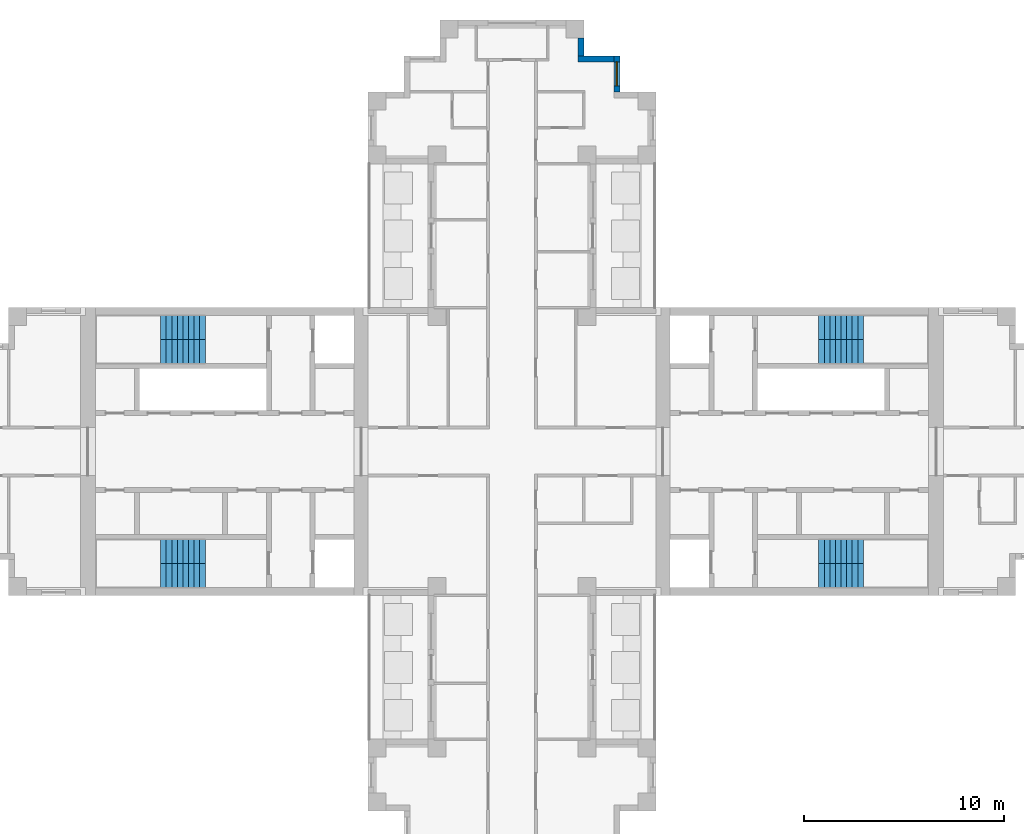
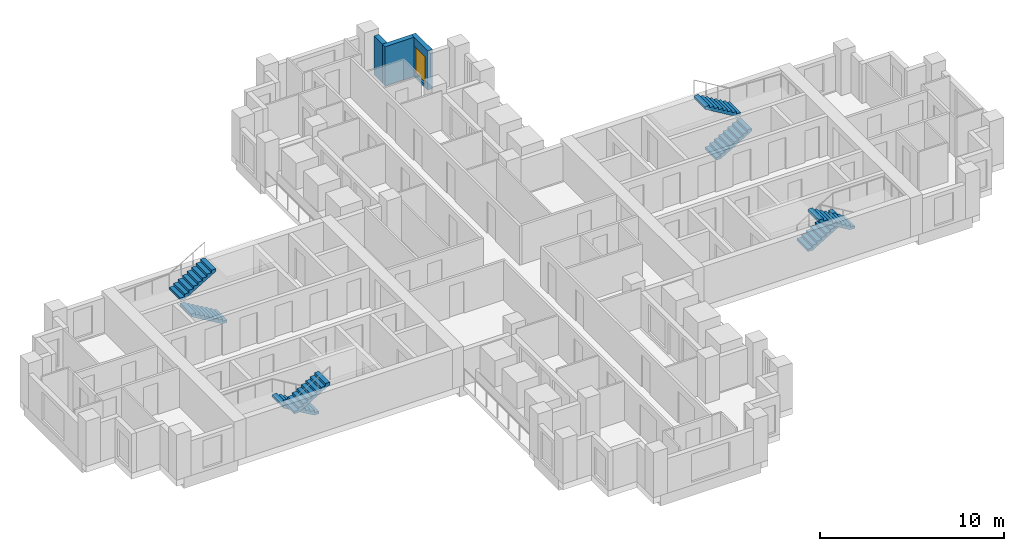
# One storey, part 8 of 10: 8 stair flights, 3 walls, 1 window, 1 opening, 4 elements without a shape of their own.
"""IFC4 building model written with IfcOpenShell, lengths in metres."""

from ifc_helpers import new_model, si_unit, direction, frame, frame_2d, origin, place, context, subcontext, project, spatial, polyline, rectangle, outline, extrude, material, layer, layer_set, type_object, element, fill, aggregate, save


model = new_model("IFC4")

# Units and contexts
model_context = context("Model", 3, precision=1e-05, world=origin(), true_north=direction((0.0, 1.0)))
body_context = subcontext(model_context, "Body", "Model", "MODEL_VIEW")
ifc_project = project(units=[si_unit("LENGTHUNIT", "METRE"), si_unit("AREAUNIT", "SQUARE_METRE"), si_unit("VOLUMEUNIT", "CUBIC_METRE"), si_unit("PLANEANGLEUNIT", "RADIAN"), si_unit("MASSUNIT", "GRAM", prefix="KILO")], contexts=[model_context])

# Site, building, storey
site_placement = place(None, origin())
site = spatial("IfcSite", under=ifc_project, at=site_placement, CompositionType="ELEMENT")
building_placement = place(site_placement, origin())
building = spatial("IfcBuilding", under=site, at=building_placement, Name="Fustian Cross Tower", CompositionType="ELEMENT")
storey_placement = place(building_placement, frame((0.0, 0.0, 213.89990234375)))
storey = spatial("IfcBuildingStorey", under=building, at=storey_placement, Name="L67", CompositionType="ELEMENT", Elevation=213.89990234375)

# Wall, opening, window
ifc_material_1 = material(Name="Dark aluminium cladding on insulated backing wall", Category="aluminium")
ifc_layer = layer(ifc_material_1, 0.300048828125)
ifc_layer_set = layer_set([ifc_layer], Name="Dark aluminium cladding on insulated backing wall")
wall_type = type_object("IfcWallType", Name="XW1 EXTERNAL WALL 300", PredefinedType="SOLIDWALL", material=ifc_layer_set)
wall_1_placement = place(storey_placement, frame((5.25, 18.0, 0.0), z_axis=(0.0, 0.0, 1.0), x_axis=(0.0, 1.0, 0.0)))
wall_1 = element("IfcWall", 1, at=wall_1_placement, inside=storey, type_object=wall_type, Name="External wall", PredefinedType="SOLIDWALL", context=body_context, shape_type="SweptSolid", body=[
    extrude(rectangle(XDim=1.800048828125, YDim=0.300048828125, at=frame_2d((0.89990234375, 0.0))), origin(), (0.0, 0.0, 1.0), 2.60009765625),
])
opening_placement = place(wall_1_placement, frame((0.300048828125, 0.0, 0.199951171875)))
opening = element("IfcOpeningElement", 2, at=opening_placement, cuts=wall_1, Name="Opening WN3", PredefinedType="OPENING", context=body_context, shape_type="SweptSolid", body=[
    extrude(rectangle(XDim=1.199951171875, YDim=1.85009765625, at=frame_2d((0.60009765625, 0.925048828125))), frame((0.0, 0.159912109375, 0.0), z_axis=(0.0, -1.0, 0.0), x_axis=(1.0, 0.0, 0.0)), (0.0, 0.0, 1.0), 0.320068359375),
])
ifc_material_2 = material(Name="Dark anodised aluminium and double glazing", Category="aluminium")
window_type = type_object("IfcWindowType", Name="WN3 WINDOW 1200X1850", PartitioningType="SINGLE_PANEL", PredefinedType="WINDOW", material=ifc_material_2)
window_placement = place(opening_placement, origin())
window = element("IfcWindow", 3, at=window_placement, inside=storey, type_object=window_type, Name="Window", OverallHeight=1.85009765625, OverallWidth=1.199951171875, PartitioningType="SINGLE_PANEL", PredefinedType="WINDOW", context=body_context, shape_type="SweptSolid", body=[
    extrude(rectangle(XDim=1.199951171875, YDim=1.85009765625, at=frame_2d((0.60009765625, 0.925048828125))), frame((0.0, 0.030029296875, 0.0), z_axis=(0.0, -1.0, 0.0), x_axis=(1.0, 0.0, 0.0)), (0.0, 0.0, 1.0), 0.06005859375),
])
fill(opening, window)

# Walls
wall_2_placement = place(storey_placement, frame((5.10009765625, 19.64990234375, 0.0), z_axis=(0.0, 0.0, 1.0), x_axis=(-1.0, 0.0, 0.0)))
element("IfcWall", 4, at=wall_2_placement, inside=storey, type_object=wall_type, Name="External wall", PredefinedType="SOLIDWALL", context=body_context, shape_type="SweptSolid", body=[
    extrude(rectangle(XDim=1.800048828125, YDim=0.300048828125, at=frame_2d((0.89990234375, 0.0))), origin(), (0.0, 0.0, 1.0), 2.60009765625),
])
wall_3_placement = place(storey_placement, frame((3.449951171875, 19.800048828125, 0.0), z_axis=(0.0, 0.0, 1.0), x_axis=(0.0, 1.0, 0.0)))
element("IfcWall", 5, at=wall_3_placement, inside=storey, type_object=wall_type, Name="External wall", PredefinedType="SOLIDWALL", context=body_context, shape_type="SweptSolid", body=[
    extrude(rectangle(XDim=0.89990234375, YDim=0.300048828125, at=frame_2d((0.449951171875, 0.0))), origin(), (0.0, 0.0, 1.0), 2.60009765625),
])

# Stair, stair flights
ifc_material_3 = material(Name="Concrete C50/60", Category="concrete")
stair_type = type_object("IfcStairType", Name="STAIR 1200 HALF TURN", PredefinedType="HALF_TURN_STAIR", material=ifc_material_3)
stair_1_placement = place(storey_placement, origin())
stair_1 = element("IfcStair", 6, at=stair_1_placement, inside=storey, type_object=stair_type, Name="Stair ST1", PredefinedType="HALF_TURN_STAIR")
ifc_material_4 = material(Name="Concrete C50/60", Category="concrete")
stair_flight_type = type_object("IfcStairFlightType", Name="STAIR FLIGHT 1200", PredefinedType="STRAIGHT", material=ifc_material_4)
stair_flight_1_placement = place(storey_placement, frame((15.35009765625, 5.0, 0.0), z_axis=(0.0, 0.0, 1.0), x_axis=(1.0, 0.0, 0.0)))
stair_flight_1 = element("IfcStairFlight", 7, at=stair_flight_1_placement, type_object=stair_flight_type, Name="ST1 flight 1", NumberOfRisers=9, NumberOfTreads=8, PredefinedType="STRAIGHT", RiserHeight=0.166666667, TreadLength=0.28, context=body_context, shape_type="SweptSolid", body=[
    extrude(outline(polyline([(0.0, 0.0), (0.0, 0.166748046875), (0.280029296875, 0.166748046875), (0.280029296875, 0.333251953125), (0.56005859375, 0.333251953125), (0.56005859375, 0.5), (0.840087890625, 0.5), (0.840087890625, 0.666748046875), (1.1201171875, 0.666748046875), (1.1201171875, 0.833251953125), (1.39990234375, 0.833251953125), (1.39990234375, 1.0), (1.679931640625, 1.0), (1.679931640625, 1.166748046875), (1.9599609375, 1.166748046875), (1.9599609375, 1.333251953125), (2.239990234375, 1.333251953125), (2.239990234375, 1.5), (2.239990234375, 1.158935546875), (0.29296875, 0.0), (0.0, 0.0)])), frame((0.0, 0.60009765625, 0.0), z_axis=(0.0, -1.0, 0.0), x_axis=(1.0, 0.0, 0.0)), (0.0, 0.0, 1.0), 1.199951171875),
])
stair_flight_2_placement = place(storey_placement, frame((17.590087890625, 6.199951171875, 1.5), z_axis=(0.0, 0.0, 1.0), x_axis=(-1.0, 0.0, 0.0)))
stair_flight_2 = element("IfcStairFlight", 8, at=stair_flight_2_placement, type_object=stair_flight_type, Name="ST1 flight 2", NumberOfRisers=9, NumberOfTreads=8, PredefinedType="STRAIGHT", RiserHeight=0.166666667, TreadLength=0.28, context=body_context, shape_type="SweptSolid", body=[
    extrude(outline(polyline([(0.0, 0.0), (0.0, 0.166748046875), (0.280029296875, 0.166748046875), (0.280029296875, 0.333251953125), (0.56005859375, 0.333251953125), (0.56005859375, 0.5), (0.840087890625, 0.5), (0.840087890625, 0.666748046875), (1.1201171875, 0.666748046875), (1.1201171875, 0.833251953125), (1.39990234375, 0.833251953125), (1.39990234375, 1.0), (1.679931640625, 1.0), (1.679931640625, 1.166748046875), (1.9599609375, 1.166748046875), (1.9599609375, 1.333251953125), (2.239990234375, 1.333251953125), (2.239990234375, 1.5), (2.239990234375, 1.158935546875), (0.29296875, 0.0), (0.0, 0.0)])), frame((0.0, 0.60009765625, 0.0), z_axis=(0.0, -1.0, 0.0), x_axis=(1.0, 0.0, 0.0)), (0.0, 0.0, 1.0), 1.199951171875),
])
aggregate(stair_1, [stair_flight_1, stair_flight_2])

stair_2_placement = place(storey_placement, origin())
stair_2 = element("IfcStair", 9, at=stair_2_placement, inside=storey, type_object=stair_type, Name="Stair ST2", PredefinedType="HALF_TURN_STAIR")
stair_flight_3_placement = place(storey_placement, frame((15.35009765625, -5.0, 0.0), z_axis=(0.0, 0.0, 1.0), x_axis=(1.0, 0.0, 0.0)))
stair_flight_3 = element("IfcStairFlight", 10, at=stair_flight_3_placement, type_object=stair_flight_type, Name="ST2 flight 1", NumberOfRisers=9, NumberOfTreads=8, PredefinedType="STRAIGHT", RiserHeight=0.166666667, TreadLength=0.28, context=body_context, shape_type="SweptSolid", body=[
    extrude(outline(polyline([(0.0, 0.0), (0.0, 0.166748046875), (0.280029296875, 0.166748046875), (0.280029296875, 0.333251953125), (0.56005859375, 0.333251953125), (0.56005859375, 0.5), (0.840087890625, 0.5), (0.840087890625, 0.666748046875), (1.1201171875, 0.666748046875), (1.1201171875, 0.833251953125), (1.39990234375, 0.833251953125), (1.39990234375, 1.0), (1.679931640625, 1.0), (1.679931640625, 1.166748046875), (1.9599609375, 1.166748046875), (1.9599609375, 1.333251953125), (2.239990234375, 1.333251953125), (2.239990234375, 1.5), (2.239990234375, 1.158935546875), (0.29296875, 0.0), (0.0, 0.0)])), frame((0.0, 0.60009765625, 0.0), z_axis=(0.0, -1.0, 0.0), x_axis=(1.0, 0.0, 0.0)), (0.0, 0.0, 1.0), 1.199951171875),
])
stair_flight_4_placement = place(storey_placement, frame((17.590087890625, -6.199951171875, 1.5), z_axis=(0.0, 0.0, 1.0), x_axis=(-1.0, 0.0, 0.0)))
stair_flight_4 = element("IfcStairFlight", 11, at=stair_flight_4_placement, type_object=stair_flight_type, Name="ST2 flight 2", NumberOfRisers=9, NumberOfTreads=8, PredefinedType="STRAIGHT", RiserHeight=0.166666667, TreadLength=0.28, context=body_context, shape_type="SweptSolid", body=[
    extrude(outline(polyline([(0.0, 0.0), (0.0, 0.166748046875), (0.280029296875, 0.166748046875), (0.280029296875, 0.333251953125), (0.56005859375, 0.333251953125), (0.56005859375, 0.5), (0.840087890625, 0.5), (0.840087890625, 0.666748046875), (1.1201171875, 0.666748046875), (1.1201171875, 0.833251953125), (1.39990234375, 0.833251953125), (1.39990234375, 1.0), (1.679931640625, 1.0), (1.679931640625, 1.166748046875), (1.9599609375, 1.166748046875), (1.9599609375, 1.333251953125), (2.239990234375, 1.333251953125), (2.239990234375, 1.5), (2.239990234375, 1.158935546875), (0.29296875, 0.0), (0.0, 0.0)])), frame((0.0, 0.60009765625, 0.0), z_axis=(0.0, -1.0, 0.0), x_axis=(1.0, 0.0, 0.0)), (0.0, 0.0, 1.0), 1.199951171875),
])
aggregate(stair_2, [stair_flight_3, stair_flight_4])

stair_3_placement = place(storey_placement, origin())
stair_3 = element("IfcStair", 12, at=stair_3_placement, inside=storey, type_object=stair_type, Name="Stair ST3", PredefinedType="HALF_TURN_STAIR")
stair_flight_5_placement = place(storey_placement, frame((-15.35009765625, 5.0, 0.0), z_axis=(0.0, 0.0, 1.0), x_axis=(-1.0, 0.0, 0.0)))
stair_flight_5 = element("IfcStairFlight", 13, at=stair_flight_5_placement, type_object=stair_flight_type, Name="ST3 flight 1", NumberOfRisers=9, NumberOfTreads=8, PredefinedType="STRAIGHT", RiserHeight=0.166666667, TreadLength=0.28, context=body_context, shape_type="SweptSolid", body=[
    extrude(outline(polyline([(0.0, 0.0), (0.0, 0.166748046875), (0.280029296875, 0.166748046875), (0.280029296875, 0.333251953125), (0.56005859375, 0.333251953125), (0.56005859375, 0.5), (0.840087890625, 0.5), (0.840087890625, 0.666748046875), (1.1201171875, 0.666748046875), (1.1201171875, 0.833251953125), (1.39990234375, 0.833251953125), (1.39990234375, 1.0), (1.679931640625, 1.0), (1.679931640625, 1.166748046875), (1.9599609375, 1.166748046875), (1.9599609375, 1.333251953125), (2.239990234375, 1.333251953125), (2.239990234375, 1.5), (2.239990234375, 1.158935546875), (0.29296875, 0.0), (0.0, 0.0)])), frame((0.0, 0.60009765625, 0.0), z_axis=(0.0, -1.0, 0.0), x_axis=(1.0, 0.0, 0.0)), (0.0, 0.0, 1.0), 1.199951171875),
])
stair_flight_6_placement = place(storey_placement, frame((-17.590087890625, 6.199951171875, 1.5), z_axis=(0.0, 0.0, 1.0), x_axis=(1.0, 0.0, 0.0)))
stair_flight_6 = element("IfcStairFlight", 14, at=stair_flight_6_placement, type_object=stair_flight_type, Name="ST3 flight 2", NumberOfRisers=9, NumberOfTreads=8, PredefinedType="STRAIGHT", RiserHeight=0.166666667, TreadLength=0.28, context=body_context, shape_type="SweptSolid", body=[
    extrude(outline(polyline([(0.0, 0.0), (0.0, 0.166748046875), (0.280029296875, 0.166748046875), (0.280029296875, 0.333251953125), (0.56005859375, 0.333251953125), (0.56005859375, 0.5), (0.840087890625, 0.5), (0.840087890625, 0.666748046875), (1.1201171875, 0.666748046875), (1.1201171875, 0.833251953125), (1.39990234375, 0.833251953125), (1.39990234375, 1.0), (1.679931640625, 1.0), (1.679931640625, 1.166748046875), (1.9599609375, 1.166748046875), (1.9599609375, 1.333251953125), (2.239990234375, 1.333251953125), (2.239990234375, 1.5), (2.239990234375, 1.158935546875), (0.29296875, 0.0), (0.0, 0.0)])), frame((0.0, 0.60009765625, 0.0), z_axis=(0.0, -1.0, 0.0), x_axis=(1.0, 0.0, 0.0)), (0.0, 0.0, 1.0), 1.199951171875),
])
aggregate(stair_3, [stair_flight_5, stair_flight_6])

stair_4_placement = place(storey_placement, origin())
stair_4 = element("IfcStair", 15, at=stair_4_placement, inside=storey, type_object=stair_type, Name="Stair ST4", PredefinedType="HALF_TURN_STAIR")
stair_flight_7_placement = place(storey_placement, frame((-15.35009765625, -5.0, 0.0), z_axis=(0.0, 0.0, 1.0), x_axis=(-1.0, 0.0, 0.0)))
stair_flight_7 = element("IfcStairFlight", 16, at=stair_flight_7_placement, type_object=stair_flight_type, Name="ST4 flight 1", NumberOfRisers=9, NumberOfTreads=8, PredefinedType="STRAIGHT", RiserHeight=0.166666667, TreadLength=0.28, context=body_context, shape_type="SweptSolid", body=[
    extrude(outline(polyline([(0.0, 0.0), (0.0, 0.166748046875), (0.280029296875, 0.166748046875), (0.280029296875, 0.333251953125), (0.56005859375, 0.333251953125), (0.56005859375, 0.5), (0.840087890625, 0.5), (0.840087890625, 0.666748046875), (1.1201171875, 0.666748046875), (1.1201171875, 0.833251953125), (1.39990234375, 0.833251953125), (1.39990234375, 1.0), (1.679931640625, 1.0), (1.679931640625, 1.166748046875), (1.9599609375, 1.166748046875), (1.9599609375, 1.333251953125), (2.239990234375, 1.333251953125), (2.239990234375, 1.5), (2.239990234375, 1.158935546875), (0.29296875, 0.0), (0.0, 0.0)])), frame((0.0, 0.60009765625, 0.0), z_axis=(0.0, -1.0, 0.0), x_axis=(1.0, 0.0, 0.0)), (0.0, 0.0, 1.0), 1.199951171875),
])
stair_flight_8_placement = place(storey_placement, frame((-17.590087890625, -6.199951171875, 1.5), z_axis=(0.0, 0.0, 1.0), x_axis=(1.0, 0.0, 0.0)))
stair_flight_8 = element("IfcStairFlight", 17, at=stair_flight_8_placement, type_object=stair_flight_type, Name="ST4 flight 2", NumberOfRisers=9, NumberOfTreads=8, PredefinedType="STRAIGHT", RiserHeight=0.166666667, TreadLength=0.28, context=body_context, shape_type="SweptSolid", body=[
    extrude(outline(polyline([(0.0, 0.0), (0.0, 0.166748046875), (0.280029296875, 0.166748046875), (0.280029296875, 0.333251953125), (0.56005859375, 0.333251953125), (0.56005859375, 0.5), (0.840087890625, 0.5), (0.840087890625, 0.666748046875), (1.1201171875, 0.666748046875), (1.1201171875, 0.833251953125), (1.39990234375, 0.833251953125), (1.39990234375, 1.0), (1.679931640625, 1.0), (1.679931640625, 1.166748046875), (1.9599609375, 1.166748046875), (1.9599609375, 1.333251953125), (2.239990234375, 1.333251953125), (2.239990234375, 1.5), (2.239990234375, 1.158935546875), (0.29296875, 0.0), (0.0, 0.0)])), frame((0.0, 0.60009765625, 0.0), z_axis=(0.0, -1.0, 0.0), x_axis=(1.0, 0.0, 0.0)), (0.0, 0.0, 1.0), 1.199951171875),
])
aggregate(stair_4, [stair_flight_7, stair_flight_8])

save(model, "model.ifc")
